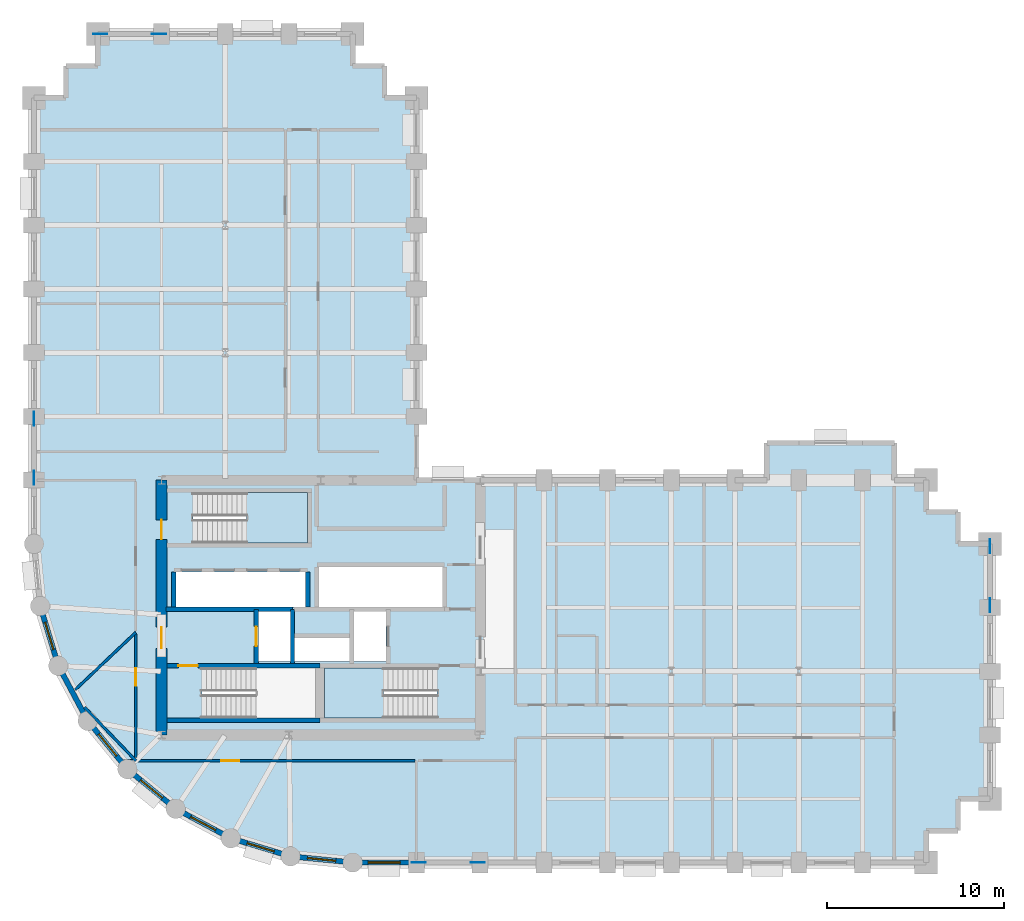
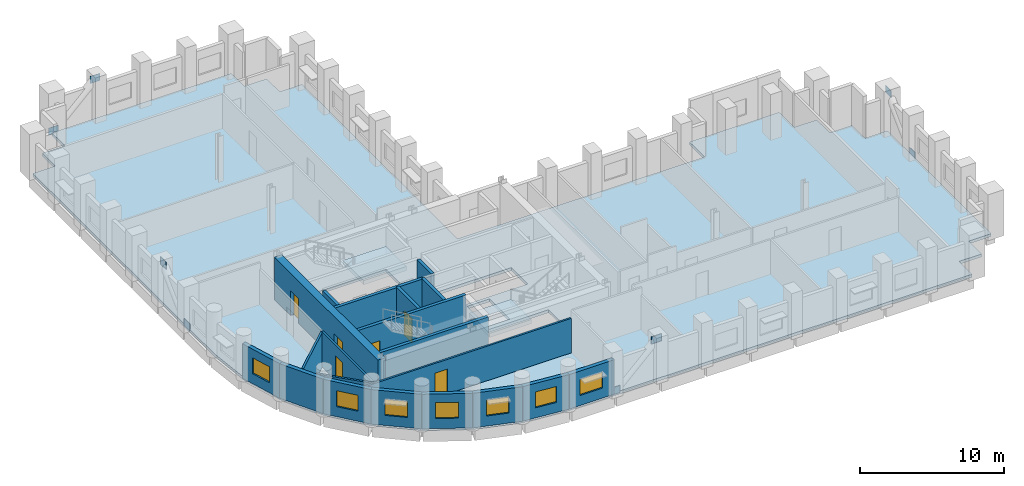
# One storey, part 3 of 9: 20 walls, 8 plates, 7 windows, 6 doors, 3 slabs, 13 openings, 2 elements without a shape of their own.
"""IFC4 building model written with IfcOpenShell, lengths in metres."""

from ifc_helpers import new_model, si_unit, direction, frame, frame_2d, origin, origin_2d, place, context, subcontext, project, spatial, polyline, rectangle, outline, extrude, material, layer, layer_set, type_object, element, fill, aggregate, save


model = new_model("IFC4")

# Units and contexts
model_context = context("Model", 3, precision=1e-05, world=origin(), true_north=direction((0.0, 1.0)))
body_context = subcontext(model_context, "Body", "Model", "MODEL_VIEW")
ifc_project = project(units=[si_unit("LENGTHUNIT", "METRE"), si_unit("AREAUNIT", "SQUARE_METRE"), si_unit("VOLUMEUNIT", "CUBIC_METRE"), si_unit("PLANEANGLEUNIT", "RADIAN"), si_unit("MASSUNIT", "GRAM", prefix="KILO")], contexts=[model_context])

# Site, building, storey
site_placement = place(None, origin())
site = spatial("IfcSite", under=ifc_project, at=site_placement, CompositionType="ELEMENT")
building_placement = place(site_placement, origin())
building = spatial("IfcBuilding", under=site, at=building_placement, Name="Solnavia Interchange Tower", CompositionType="ELEMENT")
storey_placement = place(building_placement, frame((0.0, 0.0, 70.800048828125)))
storey = spatial("IfcBuildingStorey", under=building, at=storey_placement, Name="L17", CompositionType="ELEMENT", Elevation=70.800048828125)

# Plates
ifc_material_1 = material(Name="Steel S460", Category="steel")
ifc_layer_1 = layer(ifc_material_1, 0.035888671875)
ifc_layer_set_1 = layer_set([ifc_layer_1], Name="Steel S460")
plate_type = type_object("IfcPlateType", Name="Plate-Gusset-800x600x36", PredefinedType="USERDEFINED", material=ifc_layer_set_1)
for number, where, z_axis, x_axis, name in (
    (1, (28.93994140625, 3.60009765625, -0.1201171875), (0.0, 0.0, 1.0), (1.0, 0.0, 0.0), "PLT-L17-GP01 Perimeter brace gusset plate"),
    (2, (32.260009765625, 3.60009765625, 3.099853515625), (0.0, 0.0, 1.0), (1.0, 0.0, 0.0), "PLT-L17-GP02 Perimeter brace gusset plate"),
    (3, (7.199951171875, 25.340087890625, -0.1201171875), (0.0, 0.0, 1.0), (0.0, 1.0, 0.0), "PLT-L17-GP03 Perimeter brace gusset plate"),
    (4, (7.199951171875, 28.659912109375, 3.099853515625), (0.0, 0.0, 1.0), (0.0, 1.0, 0.0), "PLT-L17-GP04 Perimeter brace gusset plate"),
    (5, (61.199951171875, 18.139892578125, -0.1201171875), (0.0, 0.0, 1.0), (0.0, 1.0, 0.0), "PLT-L17-GP05 Perimeter brace gusset plate"),
    (6, (61.199951171875, 21.4599609375, 3.099853515625), (0.0, 0.0, 1.0), (0.0, 1.0, 0.0), "PLT-L17-GP06 Perimeter brace gusset plate"),
    (7, (10.93994140625, 50.39990234375, -0.1201171875), (0.0, 0.0, 1.0), (1.0, 0.0, 0.0), "PLT-L17-GP07 Perimeter brace gusset plate"),
    (8, (14.260009765625, 50.39990234375, 3.099853515625), (0.0, 0.0, 1.0), (1.0, 0.0, 0.0), "PLT-L17-GP08 Perimeter brace gusset plate"),
):
    element("IfcPlate", number, at=place(storey_placement, frame(where, z_axis=z_axis, x_axis=x_axis)), inside=storey, type_object=plate_type, Name=name, ObjectType="GUSSET PLATE", PredefinedType="USERDEFINED", context=body_context, shape_type="SweptSolid", body=[
        extrude(rectangle(XDim=0.800048828125, YDim=0.035888671875, at=origin_2d()), origin(), (0.0, 0.0, 1.0), 0.60009765625),
    ])

# Stair, slab
ifc_material_2 = material(Name="Concrete C40/50", Category="concrete")
stair_type = type_object("IfcStairType", Name="Stair-Dogleg-RC", PredefinedType="HALF_TURN_STAIR", material=ifc_material_2)
stair_1_placement = place(storey_placement, origin())
stair_1 = element("IfcStair", 9, at=stair_1_placement, inside=storey, type_object=stair_type, Name="L17 Core exit stair 2", PredefinedType="HALF_TURN_STAIR")
ifc_layer_2 = layer(ifc_material_2, 0.35009765625)
ifc_layer_set_2 = layer_set([ifc_layer_2], Name="Concrete C40/50")
slab_type_1 = type_object("IfcSlabType", Name="Slab-StairLanding-350", PredefinedType="LANDING", material=ifc_layer_set_2)
slab_1_placement = place(storey_placement, frame((0.0, 0.0, 1.599853515625)))
slab_1 = element("IfcSlab", 10, at=slab_1_placement, type_object=slab_type_1, Name="ST-2 landing 1", PredefinedType="LANDING", context=body_context, shape_type="SweptSolid", body=[
    extrude(outline(polyline([(23.60009765625, 11.75), (26.94189453125, 11.75), (26.94189453125, 14.590087890625), (23.60009765625, 14.590087890625), (23.60009765625, 11.75)])), origin(), (0.0, 0.0, 1.0), 0.35009765625),
])
aggregate(stair_1, [slab_1])

stair_2_placement = place(storey_placement, origin())
stair_2 = element("IfcStair", 11, at=stair_2_placement, inside=storey, type_object=stair_type, Name="L17 Core exit stair 3", PredefinedType="HALF_TURN_STAIR")
slab_2_placement = place(storey_placement, frame((0.0, 0.0, 1.599853515625)))
slab_2 = element("IfcSlab", 12, at=slab_2_placement, type_object=slab_type_1, Name="ST-3 landing 1", PredefinedType="LANDING", context=body_context, shape_type="SweptSolid", body=[
    extrude(outline(polyline([(19.2080078125, 21.64990234375), (22.64990234375, 21.64990234375), (22.64990234375, 24.489990234375), (19.2080078125, 24.489990234375), (19.2080078125, 21.64990234375)])), origin(), (0.0, 0.0, 1.0), 0.35009765625),
])
aggregate(stair_2, [slab_2])

# Slab
ifc_layer_3 = layer(ifc_material_2, 0.25)
ifc_layer_set_3 = layer_set([ifc_layer_3], Name="Concrete C40/50")
slab_type_2 = type_object("IfcSlabType", Name="Slab-Tower-250", PredefinedType="FLOOR", material=ifc_layer_set_3)
slab_3_placement = place(storey_placement, frame((0.0, 0.0, -0.25)))
element("IfcSlab", 13, at=slab_3_placement, inside=storey, type_object=slab_type_2, Name="SLB-L17-01 Structural floor slab", PredefinedType="FLOOR", context=body_context, shape_type="SweptSolid", body=[
    extrude(outline(polyline([(25.199951171875, 3.60009765625), (57.60009765625, 3.60009765625), (57.60009765625, 5.39990234375), (59.39990234375, 5.39990234375), (59.39990234375, 7.199951171875), (61.199951171875, 7.199951171875), (61.199951171875, 21.60009765625), (59.39990234375, 21.60009765625), (59.39990234375, 23.39990234375), (57.60009765625, 23.39990234375), (57.60009765625, 25.199951171875), (55.800048828125, 25.199951171875), (55.800048828125, 27.300048828125), (48.60009765625, 27.300048828125), (48.60009765625, 25.199951171875), (28.800048828125, 25.199951171875), (28.800048828125, 46.800048828125), (27.0, 46.800048828125), (27.0, 48.60009765625), (25.199951171875, 48.60009765625), (25.199951171875, 50.39990234375), (10.800048828125, 50.39990234375), (10.800048828125, 48.60009765625), (9.0, 48.60009765625), (9.0, 46.800048828125), (7.199951171875, 46.800048828125), (7.199951171875, 21.60009765625), (7.5458984375, 18.087890625), (8.570068359375, 14.7119140625), (10.23388671875, 11.60009765625), (12.471923828125, 8.8720703125), (15.199951171875, 6.634033203125), (18.31201171875, 4.969970703125), (21.68798828125, 3.946044921875), (25.199951171875, 3.60009765625)]), holes=[polyline([(16.675048828125, 11.75), (23.10009765625, 11.75), (23.10009765625, 14.590087890625), (16.675048828125, 14.590087890625), (16.675048828125, 11.75)]), polyline([(23.60009765625, 11.75), (29.97509765625, 11.75), (29.97509765625, 14.590087890625), (23.60009765625, 14.590087890625), (23.60009765625, 11.75)]), polyline([(16.175048828125, 21.64990234375), (22.64990234375, 21.64990234375), (22.64990234375, 24.489990234375), (16.175048828125, 24.489990234375), (16.175048828125, 21.64990234375)]), polyline([(19.8798828125, 14.9599609375), (21.679931640625, 14.9599609375), (21.679931640625, 17.780029296875), (19.8798828125, 17.780029296875), (19.8798828125, 14.9599609375)]), polyline([(25.280029296875, 14.9599609375), (27.080078125, 14.9599609375), (27.080078125, 17.780029296875), (25.280029296875, 17.780029296875), (25.280029296875, 14.9599609375)]), polyline([(21.919921875, 14.9599609375), (25.02001953125, 14.9599609375), (25.02001953125, 16.280029296875), (21.919921875, 16.280029296875), (21.919921875, 14.9599609375)]), polyline([(15.219970703125, 18.02001953125), (22.52001953125, 18.02001953125), (22.52001953125, 20.0), (15.219970703125, 20.0), (15.219970703125, 18.02001953125)]), polyline([(23.300048828125, 18.02001953125), (30.280029296875, 18.02001953125), (30.280029296875, 20.300048828125), (23.300048828125, 20.300048828125), (23.300048828125, 18.02001953125)])]), origin(), (0.0, 0.0, 1.0), 0.25),
])

# Wall, opening, window
ifc_layer_4 = layer(ifc_material_2, 0.300048828125)
ifc_layer_set_4 = layer_set([ifc_layer_4], Name="Concrete C40/50")
wall_type_1 = type_object("IfcWallType", Name="Wall-ExtSpandrel-300", PredefinedType="STANDARD", material=ifc_layer_set_4)
wall_1_placement = place(storey_placement, frame((28.800048828125, 3.60009765625, 0.0), z_axis=(0.0, 0.0, 1.0), x_axis=(-1.0, 0.0, 0.0)))
wall_1 = element("IfcWall", 14, at=wall_1_placement, inside=storey, type_object=wall_type_1, Name="EXW-L17-01 Exterior precast spandrel wall", PredefinedType="STANDARD", context=body_context, shape_type="SweptSolid", body=[
    extrude(rectangle(XDim=3.60009765625, YDim=0.300048828125, at=frame_2d((1.800048828125, 0.0))), origin(), (0.0, 0.0, 1.0), 2.929931640625),
])
opening_1_placement = place(wall_1_placement, frame((0.925048828125, 0.0, 0.85009765625)))
opening_1 = element("IfcOpeningElement", 15, at=opening_1_placement, cuts=wall_1, Name="Opening WIN-02", PredefinedType="OPENING", context=body_context, shape_type="SweptSolid", body=[
    extrude(rectangle(XDim=1.800048828125, YDim=1.35009765625, at=frame_2d((0.89990234375, 0.675048828125))), frame((0.0, 0.16015625, 0.0), z_axis=(0.0, -1.0, 0.0), x_axis=(1.0, 0.0, 0.0)), (0.0, 0.0, 1.0), 0.320068359375),
])
ifc_material_3 = material(Name="Thermal-Break Aluminium & Low-E Glass", Category="aluminium")
window_type_1 = type_object("IfcWindowType", Name="Window-Ribbon-1800x1350", PartitioningType="SINGLE_PANEL", PredefinedType="WINDOW", material=ifc_material_3)
window_1_placement = place(opening_1_placement, origin())
window_1 = element("IfcWindow", 16, at=window_1_placement, inside=storey, type_object=window_type_1, Name="WIN-L17-01 Facade ribbon window", OverallHeight=1.35009765625, OverallWidth=1.800048828125, PartitioningType="SINGLE_PANEL", PredefinedType="WINDOW", context=body_context, shape_type="SweptSolid", body=[
    extrude(rectangle(XDim=1.800048828125, YDim=1.35009765625, at=frame_2d((0.89990234375, 0.675048828125))), frame((0.0, 0.030029296875, 0.0), z_axis=(0.0, -1.0, 0.0), x_axis=(1.0, 0.0, 0.0)), (0.0, 0.0, 1.0), 0.06005859375),
])
fill(opening_1, window_1)

wall_2_placement = place(storey_placement, frame((8.570068359375, 14.7119140625, 0.0), z_axis=(0.0, 0.0, 1.0), x_axis=(-0.290305086481, 0.956934144423, 0.0)))
wall_2 = element("IfcWall", 17, at=wall_2_placement, inside=storey, type_object=wall_type_1, Name="EXW-L17-60 Exterior precast spandrel wall", PredefinedType="STANDARD", context=body_context, shape_type="SweptSolid", body=[
    extrude(rectangle(XDim=3.52783203125, YDim=0.300048828125, at=frame_2d((1.763916015625, 0.0))), origin(), (0.0, 0.0, 1.0), 2.929931640625),
])
opening_2_placement = place(wall_2_placement, frame((0.964111328125, 0.0, 0.85009765625)))
opening_2 = element("IfcOpeningElement", 18, at=opening_2_placement, cuts=wall_2, Name="Opening WIN-04", PredefinedType="OPENING", context=body_context, shape_type="SweptSolid", body=[
    extrude(rectangle(XDim=1.60009765625, YDim=1.35009765625, at=frame_2d((0.800048828125, 0.675048828125))), frame((0.0, 0.16015625, 0.0), z_axis=(0.0, -1.0, 0.0), x_axis=(1.0, 0.0, 0.0)), (0.0, 0.0, 1.0), 0.320068359375),
])
window_type_2 = type_object("IfcWindowType", Name="Window-Drum-1600x1350", PartitioningType="SINGLE_PANEL", PredefinedType="WINDOW", material=ifc_material_3)
window_2_placement = place(opening_2_placement, origin())
window_2 = element("IfcWindow", 19, at=window_2_placement, inside=storey, type_object=window_type_2, Name="WIN-L17-60 Facade ribbon window", OverallHeight=1.35009765625, OverallWidth=1.60009765625, PartitioningType="SINGLE_PANEL", PredefinedType="WINDOW", context=body_context, shape_type="SweptSolid", body=[
    extrude(rectangle(XDim=1.60009765625, YDim=1.35009765625, at=frame_2d((0.800048828125, 0.675048828125))), frame((0.0, 0.030029296875, 0.0), z_axis=(0.0, -1.0, 0.0), x_axis=(1.0, 0.0, 0.0)), (0.0, 0.0, 1.0), 0.06005859375),
])
fill(opening_2, window_2)

# Wall
wall_3_placement = place(storey_placement, frame((10.23388671875, 11.60009765625, 0.0), z_axis=(0.0, 0.0, 1.0), x_axis=(-0.47151087309, 0.881860247748, 0.0)))
element("IfcWall", 20, at=wall_3_placement, inside=storey, type_object=wall_type_1, Name="EXW-L17-61 Exterior precast spandrel wall", PredefinedType="STANDARD", context=body_context, shape_type="SweptSolid", body=[
    extrude(rectangle(XDim=3.52880859375, YDim=0.300048828125, at=frame_2d((1.764404296875, 0.0))), origin(), (0.0, 0.0, 1.0), 2.929931640625),
])

# Wall, opening, window
wall_4_placement = place(storey_placement, frame((12.471923828125, 8.8720703125, 0.0), z_axis=(0.0, 0.0, 1.0), x_axis=(-0.634258295121, 0.773121216285, 0.0)))
wall_4 = element("IfcWall", 21, at=wall_4_placement, inside=storey, type_object=wall_type_1, Name="EXW-L17-62 Exterior precast spandrel wall", PredefinedType="STANDARD", context=body_context, shape_type="SweptSolid", body=[
    extrude(rectangle(XDim=3.528564453125, YDim=0.300048828125, at=frame_2d((1.76416015625, 0.0))), origin(), (0.0, 0.0, 1.0), 2.929931640625),
])
opening_3_placement = place(wall_4_placement, frame((0.964111328125, 0.0, 0.85009765625)))
opening_3 = element("IfcOpeningElement", 22, at=opening_3_placement, cuts=wall_4, Name="Opening WIN-04", PredefinedType="OPENING", context=body_context, shape_type="SweptSolid", body=[
    extrude(rectangle(XDim=1.60009765625, YDim=1.35009765625, at=frame_2d((0.800048828125, 0.675048828125))), frame((0.0, 0.16015625, 0.0), z_axis=(0.0, -1.0, 0.0), x_axis=(1.0, 0.0, 0.0)), (0.0, 0.0, 1.0), 0.320068359375),
])
window_3_placement = place(opening_3_placement, origin())
window_3 = element("IfcWindow", 23, at=window_3_placement, inside=storey, type_object=window_type_2, Name="WIN-L17-62 Facade ribbon window", OverallHeight=1.35009765625, OverallWidth=1.60009765625, PartitioningType="SINGLE_PANEL", PredefinedType="WINDOW", context=body_context, shape_type="SweptSolid", body=[
    extrude(rectangle(XDim=1.60009765625, YDim=1.35009765625, at=frame_2d((0.800048828125, 0.675048828125))), frame((0.0, 0.030029296875, 0.0), z_axis=(0.0, -1.0, 0.0), x_axis=(1.0, 0.0, 0.0)), (0.0, 0.0, 1.0), 0.06005859375),
])
fill(opening_3, window_3)

wall_5_placement = place(storey_placement, frame((15.199951171875, 6.634033203125, 0.0), z_axis=(0.0, 0.0, 1.0), x_axis=(-0.773121216285, 0.634258295121, 0.0)))
wall_5 = element("IfcWall", 24, at=wall_5_placement, inside=storey, type_object=wall_type_1, Name="EXW-L17-63 Exterior precast spandrel wall", PredefinedType="STANDARD", context=body_context, shape_type="SweptSolid", body=[
    extrude(rectangle(XDim=3.528564453125, YDim=0.300048828125, at=frame_2d((1.76416015625, 0.0))), origin(), (0.0, 0.0, 1.0), 2.929931640625),
])
opening_4_placement = place(wall_5_placement, frame((0.964111328125, 0.0, 0.85009765625)))
opening_4 = element("IfcOpeningElement", 25, at=opening_4_placement, cuts=wall_5, Name="Opening WIN-04", PredefinedType="OPENING", context=body_context, shape_type="SweptSolid", body=[
    extrude(rectangle(XDim=1.60009765625, YDim=1.35009765625, at=frame_2d((0.800048828125, 0.675048828125))), frame((0.0, 0.16015625, 0.0), z_axis=(0.0, -1.0, 0.0), x_axis=(1.0, 0.0, 0.0)), (0.0, 0.0, 1.0), 0.320068359375),
])
window_4_placement = place(opening_4_placement, origin())
window_4 = element("IfcWindow", 26, at=window_4_placement, inside=storey, type_object=window_type_2, Name="WIN-L17-63 Facade ribbon window", OverallHeight=1.35009765625, OverallWidth=1.60009765625, PartitioningType="SINGLE_PANEL", PredefinedType="WINDOW", context=body_context, shape_type="SweptSolid", body=[
    extrude(rectangle(XDim=1.60009765625, YDim=1.35009765625, at=frame_2d((0.800048828125, 0.675048828125))), frame((0.0, 0.030029296875, 0.0), z_axis=(0.0, -1.0, 0.0), x_axis=(1.0, 0.0, 0.0)), (0.0, 0.0, 1.0), 0.06005859375),
])
fill(opening_4, window_4)

wall_6_placement = place(storey_placement, frame((18.31201171875, 4.969970703125, 0.0), z_axis=(0.0, 0.0, 1.0), x_axis=(-0.881846862014, 0.471535907389, 0.0)))
wall_6 = element("IfcWall", 27, at=wall_6_placement, inside=storey, type_object=wall_type_1, Name="EXW-L17-64 Exterior precast spandrel wall", PredefinedType="STANDARD", context=body_context, shape_type="SweptSolid", body=[
    extrude(rectangle(XDim=3.529052734375, YDim=0.300048828125, at=frame_2d((1.7646484375, 0.0))), origin(), (0.0, 0.0, 1.0), 2.929931640625),
])
opening_5_placement = place(wall_6_placement, frame((0.964111328125, 0.0, 0.85009765625)))
opening_5 = element("IfcOpeningElement", 28, at=opening_5_placement, cuts=wall_6, Name="Opening WIN-04", PredefinedType="OPENING", context=body_context, shape_type="SweptSolid", body=[
    extrude(rectangle(XDim=1.60009765625, YDim=1.35009765625, at=frame_2d((0.800048828125, 0.675048828125))), frame((0.0, 0.16015625, 0.0), z_axis=(0.0, -1.0, 0.0), x_axis=(1.0, 0.0, 0.0)), (0.0, 0.0, 1.0), 0.320068359375),
])
window_5_placement = place(opening_5_placement, origin())
window_5 = element("IfcWindow", 29, at=window_5_placement, inside=storey, type_object=window_type_2, Name="WIN-L17-64 Facade ribbon window", OverallHeight=1.35009765625, OverallWidth=1.60009765625, PartitioningType="SINGLE_PANEL", PredefinedType="WINDOW", context=body_context, shape_type="SweptSolid", body=[
    extrude(rectangle(XDim=1.60009765625, YDim=1.35009765625, at=frame_2d((0.800048828125, 0.675048828125))), frame((0.0, 0.030029296875, 0.0), z_axis=(0.0, -1.0, 0.0), x_axis=(1.0, 0.0, 0.0)), (0.0, 0.0, 1.0), 0.06005859375),
])
fill(opening_5, window_5)

wall_7_placement = place(storey_placement, frame((21.68798828125, 3.946044921875, 0.0), z_axis=(0.0, 0.0, 1.0), x_axis=(-0.956953367403, 0.290241714123, 0.0)))
wall_7 = element("IfcWall", 30, at=wall_7_placement, inside=storey, type_object=wall_type_1, Name="EXW-L17-65 Exterior precast spandrel wall", PredefinedType="STANDARD", context=body_context, shape_type="SweptSolid", body=[
    extrude(rectangle(XDim=3.52783203125, YDim=0.300048828125, at=frame_2d((1.763916015625, 0.0))), origin(), (0.0, 0.0, 1.0), 2.929931640625),
])
opening_6_placement = place(wall_7_placement, frame((0.964111328125, 0.0, 0.85009765625)))
opening_6 = element("IfcOpeningElement", 31, at=opening_6_placement, cuts=wall_7, Name="Opening WIN-04", PredefinedType="OPENING", context=body_context, shape_type="SweptSolid", body=[
    extrude(rectangle(XDim=1.60009765625, YDim=1.35009765625, at=frame_2d((0.800048828125, 0.675048828125))), frame((0.0, 0.16015625, 0.0), z_axis=(0.0, -1.0, 0.0), x_axis=(1.0, 0.0, 0.0)), (0.0, 0.0, 1.0), 0.320068359375),
])
window_6_placement = place(opening_6_placement, origin())
window_6 = element("IfcWindow", 32, at=window_6_placement, inside=storey, type_object=window_type_2, Name="WIN-L17-65 Facade ribbon window", OverallHeight=1.35009765625, OverallWidth=1.60009765625, PartitioningType="SINGLE_PANEL", PredefinedType="WINDOW", context=body_context, shape_type="SweptSolid", body=[
    extrude(rectangle(XDim=1.60009765625, YDim=1.35009765625, at=frame_2d((0.800048828125, 0.675048828125))), frame((0.0, 0.030029296875, 0.0), z_axis=(0.0, -1.0, 0.0), x_axis=(1.0, 0.0, 0.0)), (0.0, 0.0, 1.0), 0.06005859375),
])
fill(opening_6, window_6)

wall_8_placement = place(storey_placement, frame((25.199951171875, 3.60009765625, 0.0), z_axis=(0.0, 0.0, 1.0), x_axis=(-0.995183369056, 0.098030923459, 0.0)))
wall_8 = element("IfcWall", 33, at=wall_8_placement, inside=storey, type_object=wall_type_1, Name="EXW-L17-66 Exterior precast spandrel wall", PredefinedType="STANDARD", context=body_context, shape_type="SweptSolid", body=[
    extrude(rectangle(XDim=3.529052734375, YDim=0.300048828125, at=frame_2d((1.7646484375, 0.0))), origin(), (0.0, 0.0, 1.0), 2.929931640625),
])
opening_7_placement = place(wall_8_placement, frame((0.965087890625, 0.0, 0.85009765625)))
opening_7 = element("IfcOpeningElement", 34, at=opening_7_placement, cuts=wall_8, Name="Opening WIN-04", PredefinedType="OPENING", context=body_context, shape_type="SweptSolid", body=[
    extrude(rectangle(XDim=1.60009765625, YDim=1.35009765625, at=frame_2d((0.800048828125, 0.675048828125))), frame((0.0, 0.16015625, 0.0), z_axis=(0.0, -1.0, 0.0), x_axis=(1.0, 0.0, 0.0)), (0.0, 0.0, 1.0), 0.320068359375),
])
window_7_placement = place(opening_7_placement, origin())
window_7 = element("IfcWindow", 35, at=window_7_placement, inside=storey, type_object=window_type_2, Name="WIN-L17-66 Facade ribbon window", OverallHeight=1.35009765625, OverallWidth=1.60009765625, PartitioningType="SINGLE_PANEL", PredefinedType="WINDOW", context=body_context, shape_type="SweptSolid", body=[
    extrude(rectangle(XDim=1.60009765625, YDim=1.35009765625, at=frame_2d((0.800048828125, 0.675048828125))), frame((0.0, 0.030029296875, 0.0), z_axis=(0.0, -1.0, 0.0), x_axis=(1.0, 0.0, 0.0)), (0.0, 0.0, 1.0), 0.06005859375),
])
fill(opening_7, window_7)

# Walls
ifc_material_4 = material(Name="Gypsum Plasterboard & Steel Stud", Category="steel")
ifc_layer_5 = layer(ifc_material_4, 0.14990234375)
ifc_layer_set_5 = layer_set([ifc_layer_5], Name="Gypsum Plasterboard & Steel Stud")
wall_type_2 = type_object("IfcWallType", Name="Wall-Partition-150", PredefinedType="PARTITIONING", material=ifc_layer_set_5)
wall_9_placement = place(storey_placement, frame((12.949951171875, 9.35009765625, 0.0), z_axis=(0.0, 0.0, 1.0), x_axis=(-0.692039701287, 0.721859440503, 0.0)))
element("IfcWall", 36, at=wall_9_placement, inside=storey, type_object=wall_type_2, Name="PTW-L17-09 Interior partition wall", PredefinedType="PARTITIONING", context=body_context, shape_type="SweptSolid", body=[
    extrude(rectangle(XDim=4.18359375, YDim=0.14990234375, at=frame_2d((2.091796875, 0.0))), origin(), (0.0, 0.0, 1.0), 2.929931640625),
])
wall_10_placement = place(storey_placement, frame((12.949951171875, 16.60009765625, 0.0), z_axis=(0.0, 0.0, 1.0), x_axis=(-0.726056084079, -0.687635486847, 0.0)))
element("IfcWall", 37, at=wall_10_placement, inside=storey, type_object=wall_type_2, Name="PTW-L17-10 Interior partition wall", PredefinedType="PARTITIONING", context=body_context, shape_type="SweptSolid", body=[
    extrude(rectangle(XDim=4.715087890625, YDim=0.14990234375, at=frame_2d((2.357421875, 0.0))), origin(), (0.0, 0.0, 1.0), 2.929931640625),
])

# Wall, opening, door
wall_11_placement = place(storey_placement, frame((12.949951171875, 9.537841796875, 0.0), z_axis=(0.0, 0.0, 1.0), x_axis=(0.0, 1.0, 0.0)))
wall_11 = element("IfcWall", 38, at=wall_11_placement, inside=storey, type_object=wall_type_2, Name="PTW-L17-12 Interior partition wall", PredefinedType="PARTITIONING", context=body_context, shape_type="SweptSolid", body=[
    extrude(rectangle(XDim=6.983154296875, YDim=0.14990234375, at=frame_2d((3.49169921875, 0.0))), origin(), (0.0, 0.0, 1.0), 2.969970703125),
])
opening_8_placement = place(wall_11_placement, frame((4.04296875, 0.0, 0.0)))
opening_8 = element("IfcOpeningElement", 39, at=opening_8_placement, cuts=wall_11, Name="Opening DR-07", PredefinedType="OPENING", context=body_context, shape_type="SweptSolid", body=[
    extrude(rectangle(XDim=1.0, YDim=2.10009765625, at=frame_2d((0.5, 1.050048828125))), frame((0.0, 0.0849609375, 0.0), z_axis=(0.0, -1.0, 0.0), x_axis=(1.0, 0.0, 0.0)), (0.0, 0.0, 1.0), 0.169921875),
])
ifc_material_5 = material(Name="Timber & Acoustic Glazed Office Door", Category="wood")
door_type_1 = type_object("IfcDoorType", Name="Door-Office-1000x2100", OperationType="SINGLE_SWING_RIGHT", PredefinedType="DOOR", material=ifc_material_5)
door_1_placement = place(opening_8_placement, origin())
door_1 = element("IfcDoor", 40, at=door_1_placement, inside=storey, type_object=door_type_1, Name="DR-L17-04 Interior room door", OperationType="SINGLE_SWING_RIGHT", OverallHeight=2.10009765625, OverallWidth=1.0, PredefinedType="DOOR", context=body_context, shape_type="SweptSolid", body=[
    extrude(rectangle(XDim=1.0, YDim=2.10009765625, at=frame_2d((0.5, 1.050048828125))), frame((0.0, 0.02490234375, 0.0), z_axis=(0.0, -1.0, 0.0), x_axis=(1.0, 0.0, 0.0)), (0.0, 0.0, 1.0), 0.050048828125),
])
fill(opening_8, door_1)

wall_12_placement = place(storey_placement, frame((12.23388671875, 9.35009765625, 0.0), z_axis=(0.0, 0.0, 1.0), x_axis=(1.0, 0.0, 0.0)))
wall_12 = element("IfcWall", 41, at=wall_12_placement, inside=storey, type_object=wall_type_2, Name="PTW-L17-13 Interior partition wall", PredefinedType="PARTITIONING", context=body_context, shape_type="SweptSolid", body=[
    extrude(rectangle(XDim=16.487060546875, YDim=0.14990234375, at=frame_2d((8.24365234375, 0.0))), origin(), (0.0, 0.0, 1.0), 2.929931640625),
])
opening_9_placement = place(wall_12_placement, frame((5.552001953125, 0.0, 0.0)))
opening_9 = element("IfcOpeningElement", 42, at=opening_9_placement, cuts=wall_12, Name="Opening DR-07", PredefinedType="OPENING", context=body_context, shape_type="SweptSolid", body=[
    extrude(rectangle(XDim=1.0, YDim=2.10009765625, at=frame_2d((0.5, 1.050048828125))), frame((0.0, 0.0849609375, 0.0), z_axis=(0.0, -1.0, 0.0), x_axis=(1.0, 0.0, 0.0)), (0.0, 0.0, 1.0), 0.169921875),
])
door_2_placement = place(opening_9_placement, origin())
door_2 = element("IfcDoor", 43, at=door_2_placement, inside=storey, type_object=door_type_1, Name="DR-L17-05 Interior room door", OperationType="SINGLE_SWING_LEFT", OverallHeight=2.10009765625, OverallWidth=1.0, PredefinedType="DOOR", context=body_context, shape_type="SweptSolid", body=[
    extrude(rectangle(XDim=1.0, YDim=2.10009765625, at=frame_2d((0.5, 1.050048828125))), frame((0.0, 0.02490234375, 0.0), z_axis=(0.0, -1.0, 0.0), x_axis=(1.0, 0.0, 0.0)), (0.0, 0.0, 1.0), 0.050048828125),
])
fill(opening_9, door_2)

# Wall
ifc_layer_6 = layer(ifc_material_2, 0.25)
ifc_layer_set_6 = layer_set([ifc_layer_6], Name="Concrete C40/50")
wall_type_3 = type_object("IfcWallType", Name="Wall-ShaftCore-250", PredefinedType="SHEAR", material=ifc_layer_set_6)
wall_13_placement = place(storey_placement, frame((14.699951171875, 11.625, 0.0), z_axis=(0.0, 0.0, 1.0), x_axis=(1.0, 0.0, 0.0)))
element("IfcWall", 44, at=wall_13_placement, inside=storey, type_object=wall_type_3, Name="SHW-L17-ST1S Core shear wall", PredefinedType="SHEAR", context=body_context, shape_type="SweptSolid", body=[
    extrude(rectangle(XDim=8.650146484375, YDim=0.25, at=frame_2d((4.3251953125, 0.0))), origin(), (0.0, 0.0, 1.0), 3.579833984375),
])

# Wall, opening, door
wall_14_placement = place(storey_placement, frame((14.699951171875, 14.715087890625, 0.0), z_axis=(0.0, 0.0, 1.0), x_axis=(1.0, 0.0, 0.0)))
wall_14 = element("IfcWall", 45, at=wall_14_placement, inside=storey, type_object=wall_type_3, Name="SHW-L17-ST1N Core shear wall", PredefinedType="SHEAR", context=body_context, shape_type="SweptSolid", body=[
    extrude(rectangle(XDim=8.650146484375, YDim=0.25, at=frame_2d((4.3251953125, 0.0))), origin(), (0.0, 0.0, 1.0), 3.579833984375),
])
opening_10_placement = place(wall_14_placement, frame((0.655029296875, 0.0, 0.0)))
opening_10 = element("IfcOpeningElement", 46, at=opening_10_placement, cuts=wall_14, Name="Opening DR-01", PredefinedType="OPENING", context=body_context, shape_type="SweptSolid", body=[
    extrude(rectangle(XDim=1.10009765625, YDim=2.10009765625, at=frame_2d((0.550048828125, 1.050048828125))), frame((0.0, 0.135009765625, 0.0), z_axis=(0.0, -1.0, 0.0), x_axis=(1.0, 0.0, 0.0)), (0.0, 0.0, 1.0), 0.27001953125),
])
ifc_material_6 = material(Name="Steel Fire-Rated Leaf & Frame", Category="steel")
door_type_2 = type_object("IfcDoorType", Name="Door-StairFire-1100x2100", OperationType="SINGLE_SWING_LEFT", PredefinedType="DOOR", material=ifc_material_6)
door_3_placement = place(opening_10_placement, origin())
door_3 = element("IfcDoor", 47, at=door_3_placement, inside=storey, type_object=door_type_2, Name="DR-L17-ST1 Core fire door", OperationType="SINGLE_SWING_LEFT", OverallHeight=2.10009765625, OverallWidth=1.10009765625, PredefinedType="DOOR", context=body_context, shape_type="SweptSolid", body=[
    extrude(rectangle(XDim=1.10009765625, YDim=2.10009765625, at=frame_2d((0.550048828125, 1.050048828125))), frame((0.0, 0.02490234375, 0.0), z_axis=(0.0, -1.0, 0.0), x_axis=(1.0, 0.0, 0.0)), (0.0, 0.0, 1.0), 0.050048828125),
])
fill(opening_10, door_3)

# Wall
ifc_layer_7 = layer(ifc_material_2, 0.25)
ifc_layer_set_7 = layer_set([ifc_layer_7], Name="Concrete C40/50")
wall_type_4 = type_object("IfcWallType", Name="Wall-ShaftPart-250", PredefinedType="PARTITIONING", material=ifc_layer_set_7)
wall_15_placement = place(storey_placement, frame((14.64990234375, 17.89990234375, 0.0), z_axis=(0.0, 0.0, 1.0), x_axis=(1.0, 0.0, 0.0)))
element("IfcWall", 48, at=wall_15_placement, inside=storey, type_object=wall_type_4, Name="SHW-L17-FFLW-N Core shaft wall", PredefinedType="PARTITIONING", context=body_context, shape_type="SweptSolid", body=[
    extrude(rectangle(XDim=7.150146484375, YDim=0.25, at=frame_2d((3.5751953125, 0.0))), origin(), (0.0, 0.0, 1.0), 3.56494140625),
])

# Wall, opening, door
wall_16_placement = place(storey_placement, frame((19.75, 14.840087890625, 0.0), z_axis=(0.0, 0.0, 1.0), x_axis=(0.0, 1.0, 0.0)))
wall_16 = element("IfcWall", 49, at=wall_16_placement, inside=storey, type_object=wall_type_4, Name="SHW-L17-FFL1-W Core shaft wall", PredefinedType="PARTITIONING", context=body_context, shape_type="SweptSolid", body=[
    extrude(rectangle(XDim=3.059814453125, YDim=0.25, at=frame_2d((1.52978515625, 0.0))), origin(), (0.0, 0.0, 1.0), 3.56494140625),
])
opening_11_placement = place(wall_16_placement, frame((0.97998046875, 0.0, 0.0)))
opening_11 = element("IfcOpeningElement", 50, at=opening_11_placement, cuts=wall_16, Name="Opening LD-01", PredefinedType="OPENING", context=body_context, shape_type="SweptSolid", body=[
    extrude(rectangle(XDim=1.10009765625, YDim=2.10009765625, at=frame_2d((0.550048828125, 1.050048828125))), frame((0.0, 0.135009765625, 0.0), z_axis=(0.0, -1.0, 0.0), x_axis=(1.0, 0.0, 0.0)), (0.0, 0.0, 1.0), 0.27001953125),
])
ifc_material_7 = material(Name="Brushed Stainless Steel Sliding Door", Category="steel")
door_type_3 = type_object("IfcDoorType", Name="Door-LiftLanding-1100x2100", OperationType="SLIDING_TO_LEFT", PredefinedType="DOOR", material=ifc_material_7)
door_4_placement = place(opening_11_placement, origin())
door_4 = element("IfcDoor", 51, at=door_4_placement, inside=storey, type_object=door_type_3, Name="LD-L17-FFL1 Lift landing sliding door", OperationType="SLIDING_TO_LEFT", OverallHeight=2.10009765625, OverallWidth=1.10009765625, PredefinedType="DOOR", context=body_context, shape_type="SweptSolid", body=[
    extrude(rectangle(XDim=1.10009765625, YDim=2.10009765625, at=frame_2d((0.550048828125, 1.050048828125))), frame((0.0, 0.02490234375, 0.0), z_axis=(0.0, -1.0, 0.0), x_axis=(1.0, 0.0, 0.0)), (0.0, 0.0, 1.0), 0.050048828125),
])
fill(opening_11, door_4)

# Walls
wall_17_placement = place(storey_placement, frame((21.800048828125, 14.840087890625, 0.0), z_axis=(0.0, 0.0, 1.0), x_axis=(0.0, 1.0, 0.0)))
element("IfcWall", 52, at=wall_17_placement, inside=storey, type_object=wall_type_4, Name="SHW-L17-FFL1-E Core shaft wall", PredefinedType="PARTITIONING", context=body_context, shape_type="SweptSolid", body=[
    extrude(rectangle(XDim=3.059814453125, YDim=0.25, at=frame_2d((1.52978515625, 0.0))), origin(), (0.0, 0.0, 1.0), 3.56494140625),
])
for number, where, z_axis, x_axis, name in (
    (53, (15.10009765625, 18.02490234375, 0.0), (0.0, 0.0, 1.0), (0.0, 1.0, 0.0), "SHW-L17-B1W Core shaft wall"),
    (54, (22.64990234375, 18.02490234375, 0.0), (0.0, 0.0, 1.0), (0.0, 1.0, 0.0), "SHW-L17-B1E Core shaft wall"),
):
    element("IfcWall", number, at=place(storey_placement, frame(where, z_axis=z_axis, x_axis=x_axis)), inside=storey, type_object=wall_type_4, Name=name, PredefinedType="PARTITIONING", context=body_context, shape_type="SweptSolid", body=[
        extrude(rectangle(XDim=1.97509765625, YDim=0.25, at=frame_2d((0.987548828125, 0.0))), origin(), (0.0, 0.0, 1.0), 3.56494140625),
    ])

# Wall, openings, doors
ifc_material_8 = material(Name="Concrete C60/75", Category="concrete")
ifc_layer_8 = layer(ifc_material_8, 0.60009765625)
ifc_layer_set_8 = layer_set([ifc_layer_8], Name="Concrete C60/75")
wall_type_5 = type_object("IfcWallType", Name="Wall-ShearCore-600", PredefinedType="SHEAR", material=ifc_layer_set_8)
wall_18_placement = place(storey_placement, frame((14.39990234375, 10.800048828125, 0.0), z_axis=(0.0, 0.0, 1.0), x_axis=(0.0, 1.0, 0.0)))
wall_18 = element("IfcWall", 55, at=wall_18_placement, inside=storey, type_object=wall_type_5, Name="CRW-L17-W Core shear wall", PredefinedType="SHEAR", context=body_context, shape_type="SweptSolid", body=[
    extrude(rectangle(XDim=14.39990234375, YDim=0.60009765625, at=frame_2d((7.199951171875, 0.0))), origin(), (0.0, 0.0, 1.0), 3.579833984375),
])
opening_12_placement = place(wall_18_placement, frame((11.050048828125, 0.0, 0.0)))
opening_12 = element("IfcOpeningElement", 56, at=opening_12_placement, cuts=wall_18, Name="Opening DR-01", PredefinedType="OPENING", context=body_context, shape_type="SweptSolid", body=[
    extrude(rectangle(XDim=1.10009765625, YDim=2.10009765625, at=frame_2d((0.550048828125, 1.050048828125))), frame((0.0, 0.31005859375, 0.0), z_axis=(0.0, -1.0, 0.0), x_axis=(1.0, 0.0, 0.0)), (0.0, 0.0, 1.0), 0.6201171875),
])
opening_13_placement = place(wall_18_placement, frame((4.89990234375, 0.0, 0.0)))
opening_13 = element("IfcOpeningElement", 57, at=opening_13_placement, cuts=wall_18, Name="Opening DR-02", PredefinedType="OPENING", context=body_context, shape_type="SweptSolid", body=[
    extrude(rectangle(XDim=1.199951171875, YDim=2.10009765625, at=frame_2d((0.60009765625, 1.050048828125))), frame((0.0, 0.31005859375, 0.0), z_axis=(0.0, -1.0, 0.0), x_axis=(1.0, 0.0, 0.0)), (0.0, 0.0, 1.0), 0.6201171875),
])
ifc_material_9 = material(Name="Steel Fire-Rated Vision-Panel Door", Category="steel")
door_type_4 = type_object("IfcDoorType", Name="Door-LobbyFire-1200x2100", OperationType="SINGLE_SWING_RIGHT", PredefinedType="DOOR", material=ifc_material_9)
door_5_placement = place(opening_13_placement, origin())
door_5 = element("IfcDoor", 58, at=door_5_placement, inside=storey, type_object=door_type_4, Name="DR-L17-FFL1W Core fire door", OperationType="SINGLE_SWING_RIGHT", OverallHeight=2.10009765625, OverallWidth=1.199951171875, PredefinedType="DOOR", context=body_context, shape_type="SweptSolid", body=[
    extrude(rectangle(XDim=1.199951171875, YDim=2.10009765625, at=frame_2d((0.60009765625, 1.050048828125))), frame((0.0, 0.02490234375, 0.0), z_axis=(0.0, -1.0, 0.0), x_axis=(1.0, 0.0, 0.0)), (0.0, 0.0, 1.0), 0.050048828125),
])
fill(opening_13, door_5)
door_6_placement = place(opening_12_placement, origin())
door_6 = element("IfcDoor", 59, at=door_6_placement, inside=storey, type_object=door_type_2, Name="DR-L17-ST3 Core fire door", OperationType="SINGLE_SWING_RIGHT", OverallHeight=2.10009765625, OverallWidth=1.10009765625, PredefinedType="DOOR", context=body_context, shape_type="SweptSolid", body=[
    extrude(rectangle(XDim=1.10009765625, YDim=2.10009765625, at=frame_2d((0.550048828125, 1.050048828125))), frame((0.0, 0.02490234375, 0.0), z_axis=(0.0, -1.0, 0.0), x_axis=(1.0, 0.0, 0.0)), (0.0, 0.0, 1.0), 0.050048828125),
])
fill(opening_12, door_6)

save(model, "model.ifc")
